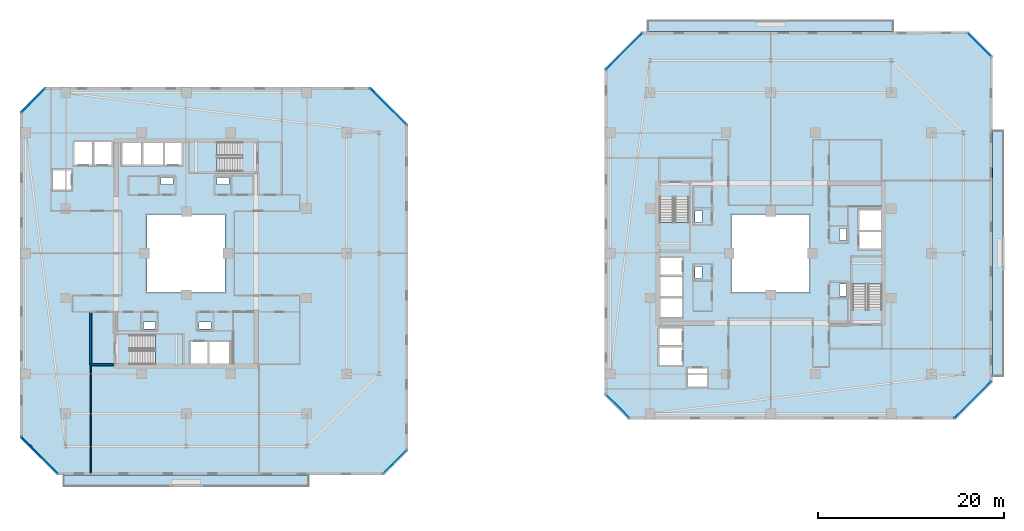
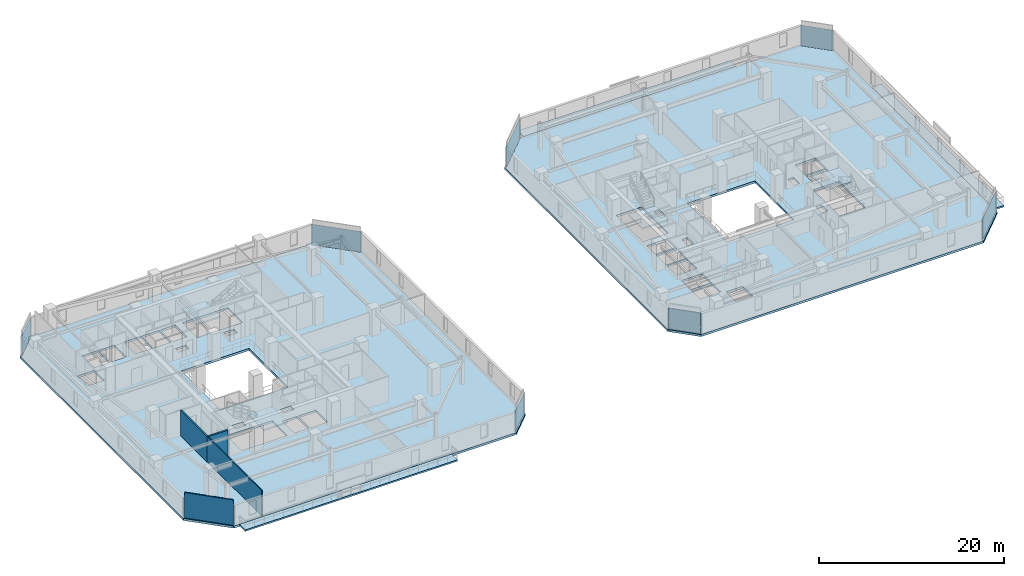
# One storey, part 18 of 32: 9 slabs, 8 plates, 4 walls, 12 elements without a shape of their own.
"""IFC4 building model written with IfcOpenShell, lengths in metres."""

from ifc_helpers import new_model, si_unit, direction, frame, frame_2d, origin, origin_2d, place, context, subcontext, project, spatial, polyline, rectangle, outline, extrude, material, layer, layer_set, type_object, element, aggregate, save


model = new_model("IFC4")

# Units and contexts
model_context = context("Model", 3, precision=1e-05, world=origin(), true_north=direction((0.0, 1.0)))
body_context = subcontext(model_context, "Body", "Model", "MODEL_VIEW")
ifc_project = project(units=[si_unit("LENGTHUNIT", "METRE"), si_unit("AREAUNIT", "SQUARE_METRE"), si_unit("VOLUMEUNIT", "CUBIC_METRE"), si_unit("PLANEANGLEUNIT", "RADIAN"), si_unit("MASSUNIT", "GRAM", prefix="KILO")], contexts=[model_context])

# Site, building, storey
site_placement = place(None, origin())
site = spatial("IfcSite", under=ifc_project, at=site_placement, CompositionType="ELEMENT")
building_placement = place(site_placement, origin())
building = spatial("IfcBuilding", under=site, at=building_placement, Name="Thornwick Lancets Civic Towers", CompositionType="ELEMENT")
storey_placement = place(building_placement, frame((0.0, 0.0, 152.699951171875)))
storey = spatial("IfcBuildingStorey", under=building, at=storey_placement, Name="L40", CompositionType="ELEMENT", Elevation=152.699951171875)

# Curtain wall, plate
ifc_material_1 = material(Name="Mid-zone chamfered-corner unitised glass curtain wall", Category="glass")
curtain_wall_type = type_object("IfcCurtainWallType", Name="CW_SYS_04", PredefinedType="NOTDEFINED", material=ifc_material_1)
curtain_wall_1_placement = place(storey_placement, origin())
curtain_wall_1 = element("IfcCurtainWall", 1, at=curtain_wall_1_placement, inside=storey, type_object=curtain_wall_type, Name="L40 Curtain Wall CW-L40-A-E1", PredefinedType="NOTDEFINED")
ifc_material_2 = material(Name="Low-e double glazing clear glass", Category="glass")
ifc_layer_1 = layer(ifc_material_2, 0.035888671875, Name="Low-e double glazing clear glass")
ifc_layer_set_1 = layer_set([ifc_layer_1], Name="Low-e double glazing clear glass")
plate_type = type_object("IfcPlateType", Name="CW_PNL_GLASS", PredefinedType="CURTAIN_PANEL", material=ifc_layer_set_1)
plate_1_placement = place(storey_placement, frame((47.972900390625, 4.527099609375, 0.0), z_axis=(0.0, 0.0, 1.0), x_axis=(0.707106781187, 0.707106781187, 0.0)))
plate_1 = element("IfcPlate", 2, at=plate_1_placement, type_object=plate_type, Name="CW-L40-A-E1 Panel 0", PredefinedType="CURTAIN_PANEL", context=body_context, shape_type="SweptSolid", body=[
    extrude(rectangle(XDim=3.649169921875, YDim=0.035888671875, at=origin_2d()), origin(), (0.0, 0.0, 1.0), 2.699951171875),
])
aggregate(curtain_wall_1, [plate_1])

curtain_wall_2_placement = place(storey_placement, origin())
curtain_wall_2 = element("IfcCurtainWall", 3, at=curtain_wall_2_placement, inside=storey, type_object=curtain_wall_type, Name="L40 Curtain Wall CW-L40-A-E3", PredefinedType="NOTDEFINED")
plate_2_placement = place(storey_placement, frame((47.281005859375, 42.781005859375, 0.0), z_axis=(0.0, 0.0, 1.0), x_axis=(-0.707106781187, 0.707106781187, 0.0)))
plate_2 = element("IfcPlate", 4, at=plate_2_placement, type_object=plate_type, Name="CW-L40-A-E3 Panel 0", PredefinedType="CURTAIN_PANEL", context=body_context, shape_type="SweptSolid", body=[
    extrude(rectangle(XDim=5.593994140625, YDim=0.035888671875, at=origin_2d()), origin(), (0.0, 0.0, 1.0), 2.699951171875),
])
aggregate(curtain_wall_2, [plate_2])

curtain_wall_3_placement = place(storey_placement, origin())
curtain_wall_3 = element("IfcCurtainWall", 5, at=curtain_wall_3_placement, inside=storey, type_object=curtain_wall_type, Name="L40 Curtain Wall CW-L40-A-E5", PredefinedType="NOTDEFINED")
plate_3_placement = place(storey_placement, frame((9.027099609375, 43.472900390625, 0.0), z_axis=(0.0, 0.0, 1.0), x_axis=(-0.707106781187, -0.707106781187, 0.0)))
plate_3 = element("IfcPlate", 6, at=plate_3_placement, type_object=plate_type, Name="CW-L40-A-E5 Panel 0", PredefinedType="CURTAIN_PANEL", context=body_context, shape_type="SweptSolid", body=[
    extrude(rectangle(XDim=3.649169921875, YDim=0.035888671875, at=origin_2d()), origin(), (0.0, 0.0, 1.0), 2.699951171875),
])
aggregate(curtain_wall_3, [plate_3])

curtain_wall_4_placement = place(storey_placement, origin())
curtain_wall_4 = element("IfcCurtainWall", 7, at=curtain_wall_4_placement, inside=storey, type_object=curtain_wall_type, Name="L40 Curtain Wall CW-L40-A-E7", PredefinedType="NOTDEFINED")
plate_4_placement = place(storey_placement, frame((9.718994140625, 5.218994140625, 0.0), z_axis=(0.0, 0.0, 1.0), x_axis=(0.707106781187, -0.707106781187, 0.0)))
plate_4 = element("IfcPlate", 8, at=plate_4_placement, type_object=plate_type, Name="CW-L40-A-E7 Panel 0", PredefinedType="CURTAIN_PANEL", context=body_context, shape_type="SweptSolid", body=[
    extrude(rectangle(XDim=5.593994140625, YDim=0.035888671875, at=origin_2d()), origin(), (0.0, 0.0, 1.0), 2.699951171875),
])
aggregate(curtain_wall_4, [plate_4])

curtain_wall_5_placement = place(storey_placement, origin())
curtain_wall_5 = element("IfcCurtainWall", 9, at=curtain_wall_5_placement, inside=storey, type_object=curtain_wall_type, Name="L40 Curtain Wall CW-L40-B-E1", PredefinedType="NOTDEFINED")
plate_5_placement = place(storey_placement, frame((110.281005859375, 11.218994140625, 0.0), z_axis=(0.0, 0.0, 1.0), x_axis=(0.707106781187, 0.707106781187, 0.0)))
plate_5 = element("IfcPlate", 10, at=plate_5_placement, type_object=plate_type, Name="CW-L40-B-E1 Panel 0", PredefinedType="CURTAIN_PANEL", context=body_context, shape_type="SweptSolid", body=[
    extrude(rectangle(XDim=5.593994140625, YDim=0.035888671875, at=origin_2d()), origin(), (0.0, 0.0, 1.0), 2.699951171875),
])
aggregate(curtain_wall_5, [plate_5])

curtain_wall_6_placement = place(storey_placement, origin())
curtain_wall_6 = element("IfcCurtainWall", 11, at=curtain_wall_6_placement, inside=storey, type_object=curtain_wall_type, Name="L40 Curtain Wall CW-L40-B-E3", PredefinedType="NOTDEFINED")
plate_6_placement = place(storey_placement, frame((110.972900390625, 49.472900390625, 0.0), z_axis=(0.0, 0.0, 1.0), x_axis=(-0.707106781187, 0.707106781187, 0.0)))
plate_6 = element("IfcPlate", 12, at=plate_6_placement, type_object=plate_type, Name="CW-L40-B-E3 Panel 0", PredefinedType="CURTAIN_PANEL", context=body_context, shape_type="SweptSolid", body=[
    extrude(rectangle(XDim=3.649169921875, YDim=0.035888671875, at=origin_2d()), origin(), (0.0, 0.0, 1.0), 2.699951171875),
])
aggregate(curtain_wall_6, [plate_6])

curtain_wall_7_placement = place(storey_placement, origin())
curtain_wall_7 = element("IfcCurtainWall", 13, at=curtain_wall_7_placement, inside=storey, type_object=curtain_wall_type, Name="L40 Curtain Wall CW-L40-B-E5", PredefinedType="NOTDEFINED")
plate_7_placement = place(storey_placement, frame((72.718994140625, 48.781005859375, 0.0), z_axis=(0.0, 0.0, 1.0), x_axis=(-0.707106781187, -0.707106781187, 0.0)))
plate_7 = element("IfcPlate", 14, at=plate_7_placement, type_object=plate_type, Name="CW-L40-B-E5 Panel 0", PredefinedType="CURTAIN_PANEL", context=body_context, shape_type="SweptSolid", body=[
    extrude(rectangle(XDim=5.593994140625, YDim=0.035888671875, at=origin_2d()), origin(), (0.0, 0.0, 1.0), 2.699951171875),
])
aggregate(curtain_wall_7, [plate_7])

curtain_wall_8_placement = place(storey_placement, origin())
curtain_wall_8 = element("IfcCurtainWall", 15, at=curtain_wall_8_placement, inside=storey, type_object=curtain_wall_type, Name="L40 Curtain Wall CW-L40-B-E7", PredefinedType="NOTDEFINED")
plate_8_placement = place(storey_placement, frame((72.027099609375, 10.527099609375, 0.0), z_axis=(0.0, 0.0, 1.0), x_axis=(0.707106781187, -0.707106781187, 0.0)))
plate_8 = element("IfcPlate", 16, at=plate_8_placement, type_object=plate_type, Name="CW-L40-B-E7 Panel 0", PredefinedType="CURTAIN_PANEL", context=body_context, shape_type="SweptSolid", body=[
    extrude(rectangle(XDim=3.649169921875, YDim=0.035888671875, at=origin_2d()), origin(), (0.0, 0.0, 1.0), 2.699951171875),
])
aggregate(curtain_wall_8, [plate_8])

# Slabs
ifc_material_3 = material(Name="Post-tensioned concrete C40/50", Category="concrete")
ifc_layer_2 = layer(ifc_material_3, 0.199951171875, Name="Post-tensioned concrete C40/50")
ifc_layer_set_2 = layer_set([ifc_layer_2], Name="Post-tensioned concrete C40/50")
slab_type_1 = type_object("IfcSlabType", Name="SLAB_BALCONY_200", PredefinedType="FLOOR", material=ifc_layer_set_2)
slab_1_placement = place(storey_placement, frame((0.0, 0.0, -0.199951171875)))
element("IfcSlab", 17, at=slab_1_placement, inside=storey, type_object=slab_type_1, Name="L40 Tower A Planted Balcony Slab S", PredefinedType="FLOOR", context=body_context, shape_type="SweptSolid", body=[
    extrude(outline(polyline([(12.300048828125, 1.85009765625), (38.699951171875, 1.85009765625), (38.699951171875, 3.10009765625), (12.300048828125, 3.10009765625), (12.300048828125, 1.85009765625)])), origin(), (0.0, 0.0, 1.0), 0.199951171875),
])
slab_2_placement = place(storey_placement, frame((0.0, 0.0, -0.199951171875)))
element("IfcSlab", 18, at=slab_2_placement, inside=storey, type_object=slab_type_1, Name="L40 Tower B Planted Balcony Slab E", PredefinedType="FLOOR", context=body_context, shape_type="SweptSolid", body=[
    extrude(outline(polyline([(112.39990234375, 13.800048828125), (113.64990234375, 13.800048828125), (113.64990234375, 40.199951171875), (112.39990234375, 40.199951171875), (112.39990234375, 13.800048828125)])), origin(), (0.0, 0.0, 1.0), 0.199951171875),
])
slab_3_placement = place(storey_placement, frame((0.0, 0.0, -0.199951171875)))
element("IfcSlab", 19, at=slab_3_placement, inside=storey, type_object=slab_type_1, Name="L40 Tower B Planted Balcony Slab N", PredefinedType="FLOOR", context=body_context, shape_type="SweptSolid", body=[
    extrude(outline(polyline([(75.300048828125, 50.89990234375), (101.699951171875, 50.89990234375), (101.699951171875, 52.14990234375), (75.300048828125, 52.14990234375), (75.300048828125, 50.89990234375)])), origin(), (0.0, 0.0, 1.0), 0.199951171875),
])

# Stair, slab
ifc_material_4 = material(Name="Concrete C40/50", Category="concrete")
stair_type = type_object("IfcStairType", Name="STAIR_DL_3600", PredefinedType="HALF_TURN_STAIR", material=ifc_material_4)
stair_1_placement = place(storey_placement, origin())
stair_1 = element("IfcStair", 20, at=stair_1_placement, inside=storey, type_object=stair_type, Name="L40 Tower A South Exit Stair ST-A1", PredefinedType="HALF_TURN_STAIR")
ifc_layer_3 = layer(ifc_material_4, 0.25, Name="Concrete C40/50")
ifc_layer_set_3 = layer_set([ifc_layer_3], Name="Concrete C40/50")
slab_type_2 = type_object("IfcSlabType", Name="SLAB_LANDING_200", PredefinedType="LANDING", material=ifc_layer_set_3)
slab_4_placement = place(storey_placement, frame((0.0, 0.0, 1.60302734375)))
slab_4 = element("IfcSlab", 21, at=slab_4_placement, type_object=slab_type_2, Name="ST-A1 landing 1", PredefinedType="LANDING", context=body_context, shape_type="SweptSolid", body=[
    extrude(outline(polyline([(22.169921875, 14.93994140625), (25.14990234375, 14.93994140625), (25.14990234375, 18.260009765625), (22.169921875, 18.260009765625), (22.169921875, 14.93994140625)])), origin(), (0.0, 0.0, 1.0), 0.199951171875),
])
aggregate(stair_1, [slab_4])

stair_2_placement = place(storey_placement, origin())
stair_2 = element("IfcStair", 22, at=stair_2_placement, inside=storey, type_object=stair_type, Name="L40 Tower A North Exit Stair ST-A2", PredefinedType="HALF_TURN_STAIR")
slab_5_placement = place(storey_placement, frame((0.0, 0.0, 1.60302734375)))
slab_5 = element("IfcSlab", 23, at=slab_5_placement, type_object=slab_type_2, Name="ST-A2 landing 1", PredefinedType="LANDING", context=body_context, shape_type="SweptSolid", body=[
    extrude(outline(polyline([(28.830078125, 39.06005859375), (25.85009765625, 39.06005859375), (25.85009765625, 35.739990234375), (28.830078125, 35.739990234375), (28.830078125, 39.06005859375)])), origin(), (0.0, 0.0, 1.0), 0.199951171875),
])
aggregate(stair_2, [slab_5])

stair_3_placement = place(storey_placement, origin())
stair_3 = element("IfcStair", 24, at=stair_3_placement, inside=storey, type_object=stair_type, Name="L40 Tower B East Exit Stair ST-B1", PredefinedType="HALF_TURN_STAIR")
slab_6_placement = place(storey_placement, frame((0.0, 0.0, 1.60302734375)))
slab_6 = element("IfcSlab", 25, at=slab_6_placement, type_object=slab_type_2, Name="ST-B1 landing 1", PredefinedType="LANDING", context=body_context, shape_type="SweptSolid", body=[
    extrude(outline(polyline([(100.56005859375, 23.669921875), (100.56005859375, 26.64990234375), (97.239990234375, 26.64990234375), (97.239990234375, 23.669921875), (100.56005859375, 23.669921875)])), origin(), (0.0, 0.0, 1.0), 0.199951171875),
])
aggregate(stair_3, [slab_6])

stair_4_placement = place(storey_placement, origin())
stair_4 = element("IfcStair", 26, at=stair_4_placement, inside=storey, type_object=stair_type, Name="L40 Tower B West Exit Stair ST-B2", PredefinedType="HALF_TURN_STAIR")
slab_7_placement = place(storey_placement, frame((0.0, 0.0, 1.60302734375)))
slab_7 = element("IfcSlab", 27, at=slab_7_placement, type_object=slab_type_2, Name="ST-B2 landing 1", PredefinedType="LANDING", context=body_context, shape_type="SweptSolid", body=[
    extrude(outline(polyline([(76.43994140625, 30.330078125), (76.43994140625, 27.35009765625), (79.760009765625, 27.35009765625), (79.760009765625, 30.330078125), (76.43994140625, 30.330078125)])), origin(), (0.0, 0.0, 1.0), 0.199951171875),
])
aggregate(stair_4, [slab_7])

# Slabs
ifc_layer_4 = layer(ifc_material_3, 0.280029296875, Name="Post-tensioned concrete C40/50")
ifc_layer_set_4 = layer_set([ifc_layer_4], Name="Post-tensioned concrete C40/50")
slab_type_3 = type_object("IfcSlabType", Name="SLAB_PT_280", PredefinedType="FLOOR", material=ifc_layer_set_4)
slab_8_placement = place(storey_placement, frame((0.0, 0.0, -0.280029296875)))
element("IfcSlab", 28, at=slab_8_placement, inside=storey, type_object=slab_type_3, Name="L40 Tower A Floor Slab", PredefinedType="FLOOR", context=body_context, shape_type="SweptSolid", body=[
    extrude(outline(polyline([(11.5849609375, 3.10009765625), (46.800048828125, 3.10009765625), (49.39990234375, 5.699951171875), (49.39990234375, 40.9150390625), (45.4150390625, 44.89990234375), (10.199951171875, 44.89990234375), (7.60009765625, 42.300048828125), (7.60009765625, 7.0849609375), (11.5849609375, 3.10009765625)]), holes=[polyline([(21.300048828125, 22.800048828125), (29.699951171875, 22.800048828125), (29.699951171875, 31.199951171875), (21.300048828125, 31.199951171875), (21.300048828125, 22.800048828125)]), polyline([(19.429931640625, 15.0), (25.10009765625, 15.0), (25.10009765625, 18.199951171875), (19.429931640625, 18.199951171875), (19.429931640625, 15.0)]), polyline([(31.570068359375, 39.0), (25.89990234375, 39.0), (25.89990234375, 35.800048828125), (31.570068359375, 35.800048828125), (31.570068359375, 39.0)]), polyline([(26.0, 15.0), (27.800048828125, 15.0), (27.800048828125, 17.550048828125), (26.0, 17.550048828125), (26.0, 15.0)]), polyline([(28.0, 15.0), (30.14990234375, 15.0), (30.14990234375, 17.550048828125), (28.0, 17.550048828125), (28.0, 15.0)]), polyline([(23.199951171875, 36.449951171875), (25.0, 36.449951171875), (25.0, 39.0), (23.199951171875, 39.0), (23.199951171875, 36.449951171875)]), polyline([(20.85009765625, 36.449951171875), (23.0, 36.449951171875), (23.0, 39.0), (20.85009765625, 39.0), (20.85009765625, 36.449951171875)]), polyline([(18.60009765625, 36.449951171875), (20.699951171875, 36.449951171875), (20.699951171875, 39.0), (18.60009765625, 39.0), (18.60009765625, 36.449951171875)]), polyline([(15.550048828125, 36.449951171875), (17.449951171875, 36.449951171875), (17.449951171875, 39.0), (15.550048828125, 39.0), (15.550048828125, 36.449951171875)]), polyline([(13.449951171875, 36.449951171875), (15.39990234375, 36.449951171875), (15.39990234375, 39.0), (13.449951171875, 39.0), (13.449951171875, 36.449951171875)]), polyline([(11.10009765625, 33.85009765625), (13.199951171875, 33.85009765625), (13.199951171875, 35.949951171875), (11.10009765625, 35.949951171875), (11.10009765625, 33.85009765625)]), polyline([(26.89990234375, 18.85009765625), (28.199951171875, 18.85009765625), (28.199951171875, 19.580078125), (26.89990234375, 19.580078125), (26.89990234375, 18.85009765625)]), polyline([(20.89990234375, 18.85009765625), (22.199951171875, 18.85009765625), (22.199951171875, 19.580078125), (20.89990234375, 19.580078125), (20.89990234375, 18.85009765625)]), polyline([(22.800048828125, 34.419921875), (24.10009765625, 34.419921875), (24.10009765625, 35.14990234375), (22.800048828125, 35.14990234375), (22.800048828125, 34.419921875)]), polyline([(28.800048828125, 34.419921875), (30.10009765625, 34.419921875), (30.10009765625, 35.14990234375), (28.800048828125, 35.14990234375), (28.800048828125, 34.419921875)])]), origin(), (0.0, 0.0, 1.0), 0.280029296875),
])
slab_9_placement = place(storey_placement, frame((0.0, 0.0, -0.280029296875)))
element("IfcSlab", 29, at=slab_9_placement, inside=storey, type_object=slab_type_3, Name="L40 Tower B Floor Slab", PredefinedType="FLOOR", context=body_context, shape_type="SweptSolid", body=[
    extrude(outline(polyline([(73.199951171875, 9.10009765625), (108.4150390625, 9.10009765625), (112.39990234375, 13.0849609375), (112.39990234375, 48.300048828125), (109.800048828125, 50.89990234375), (74.5849609375, 50.89990234375), (70.60009765625, 46.9150390625), (70.60009765625, 11.699951171875), (73.199951171875, 9.10009765625)]), holes=[polyline([(84.300048828125, 22.800048828125), (92.699951171875, 22.800048828125), (92.699951171875, 31.199951171875), (84.300048828125, 31.199951171875), (84.300048828125, 22.800048828125)]), polyline([(100.5, 20.929931640625), (100.5, 26.60009765625), (97.300048828125, 26.60009765625), (97.300048828125, 20.929931640625), (100.5, 20.929931640625)]), polyline([(76.5, 33.070068359375), (76.5, 27.39990234375), (79.699951171875, 27.39990234375), (79.699951171875, 33.070068359375), (76.5, 33.070068359375)]), polyline([(97.949951171875, 27.5), (100.5, 27.5), (100.5, 29.300048828125), (97.949951171875, 29.300048828125), (97.949951171875, 27.5)]), polyline([(97.949951171875, 29.5), (100.5, 29.5), (100.5, 31.64990234375), (97.949951171875, 31.64990234375), (97.949951171875, 29.5)]), polyline([(76.5, 24.699951171875), (79.050048828125, 24.699951171875), (79.050048828125, 26.5), (76.5, 26.5), (76.5, 24.699951171875)]), polyline([(76.5, 22.35009765625), (79.050048828125, 22.35009765625), (79.050048828125, 24.5), (76.5, 24.5), (76.5, 22.35009765625)]), polyline([(76.5, 20.10009765625), (79.050048828125, 20.10009765625), (79.050048828125, 22.199951171875), (76.5, 22.199951171875), (76.5, 20.10009765625)]), polyline([(76.5, 17.050048828125), (79.050048828125, 17.050048828125), (79.050048828125, 18.949951171875), (76.5, 18.949951171875), (76.5, 17.050048828125)]), polyline([(76.5, 14.949951171875), (79.050048828125, 14.949951171875), (79.050048828125, 16.89990234375), (76.5, 16.89990234375), (76.5, 14.949951171875)]), polyline([(79.550048828125, 12.60009765625), (81.64990234375, 12.60009765625), (81.64990234375, 14.699951171875), (79.550048828125, 14.699951171875), (79.550048828125, 12.60009765625)]), polyline([(95.919921875, 28.39990234375), (96.64990234375, 28.39990234375), (96.64990234375, 29.699951171875), (95.919921875, 29.699951171875), (95.919921875, 28.39990234375)]), polyline([(95.919921875, 22.39990234375), (96.64990234375, 22.39990234375), (96.64990234375, 23.699951171875), (95.919921875, 23.699951171875), (95.919921875, 22.39990234375)]), polyline([(80.35009765625, 24.300048828125), (81.080078125, 24.300048828125), (81.080078125, 25.60009765625), (80.35009765625, 25.60009765625), (80.35009765625, 24.300048828125)]), polyline([(80.35009765625, 30.300048828125), (81.080078125, 30.300048828125), (81.080078125, 31.60009765625), (80.35009765625, 31.60009765625), (80.35009765625, 30.300048828125)])]), origin(), (0.0, 0.0, 1.0), 0.280029296875),
])

# Walls
ifc_material_5 = material(Name="Concrete blockwork C40/50", Category="masonry")
ifc_layer_5 = layer(ifc_material_5, 0.199951171875, Name="Concrete blockwork C40/50")
ifc_layer_set_5 = layer_set([ifc_layer_5], Name="Concrete blockwork C40/50")
wall_type_1 = type_object("IfcWallType", Name="WALL_COMP_200", PredefinedType="STANDARD", material=ifc_layer_set_5)
wall_1_placement = place(storey_placement, frame((15.199951171875, 15.0, 0.0), z_axis=(0.0, 0.0, 1.0), x_axis=(1.0, 0.0, 0.0)))
element("IfcWall", 30, at=wall_1_placement, inside=storey, type_object=wall_type_1, Name="L40 Partition L40-A-FFLOB1 E1", PredefinedType="STANDARD", context=body_context, shape_type="SweptSolid", body=[
    extrude(rectangle(XDim=2.5, YDim=0.199951171875, at=frame_2d((1.25, 0.0))), origin(), (0.0, 0.0, 1.0), 3.340087890625),
])
wall_2_placement = place(storey_placement, frame((15.199951171875, 20.699951171875, 0.0), z_axis=(0.0, 0.0, 1.0), x_axis=(0.0, -1.0, 0.0)))
element("IfcWall", 31, at=wall_2_placement, inside=storey, type_object=wall_type_1, Name="L40 Partition L40-A-FFLOB1 E4", PredefinedType="STANDARD", context=body_context, shape_type="SweptSolid", body=[
    extrude(rectangle(XDim=5.699951171875, YDim=0.199951171875, at=frame_2d((2.85009765625, 0.0))), origin(), (0.0, 0.0, 1.0), 3.340087890625),
])
ifc_material_6 = material(Name="Acoustic gypsum board partition")
ifc_layer_6 = layer(ifc_material_6, 0.1201171875, Name="Acoustic gypsum board partition")
ifc_layer_set_6 = layer_set([ifc_layer_6], Name="Acoustic gypsum board partition")
wall_type_2 = type_object("IfcWallType", Name="WALL_PART_120", PredefinedType="PARTITIONING", material=ifc_layer_set_6)
wall_3_placement = place(storey_placement, frame((15.199951171875, 15.0, 0.0), z_axis=(0.0, 0.0, 1.0), x_axis=(0.0, -1.0, 0.0)))
element("IfcWall", 32, at=wall_3_placement, inside=storey, type_object=wall_type_2, Name="L40 Partition L40-A-W1 E6", PredefinedType="PARTITIONING", context=body_context, shape_type="SweptSolid", body=[
    extrude(rectangle(XDim=11.719970703125, YDim=0.1201171875, at=frame_2d((5.85986328125, 0.0))), origin(), (0.0, 0.0, 1.0), 3.340087890625),
])
wall_4_placement = place(storey_placement, frame((11.65966796875, 3.280029296875, 0.0), z_axis=(0.0, 0.0, 1.0), x_axis=(-0.707106781187, 0.707106781187, 0.0)))
element("IfcWall", 33, at=wall_4_placement, inside=storey, type_object=wall_type_2, Name="L40 Partition L40-A-W1 E8", PredefinedType="PARTITIONING", context=body_context, shape_type="SweptSolid", body=[
    extrude(rectangle(XDim=5.486572265625, YDim=0.1201171875, at=frame_2d((2.7431640625, 0.0))), origin(), (0.0, 0.0, 1.0), 3.340087890625),
])

save(model, "model.ifc")
